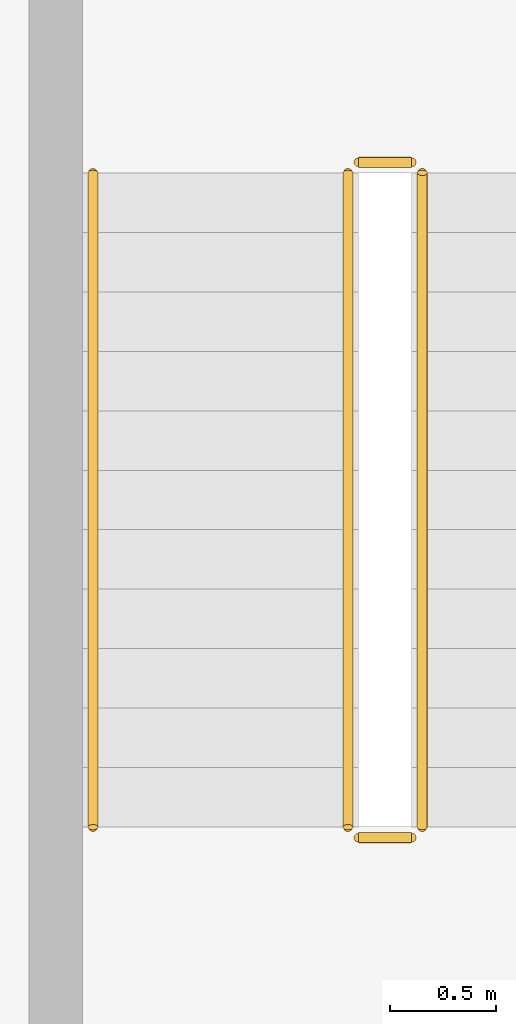
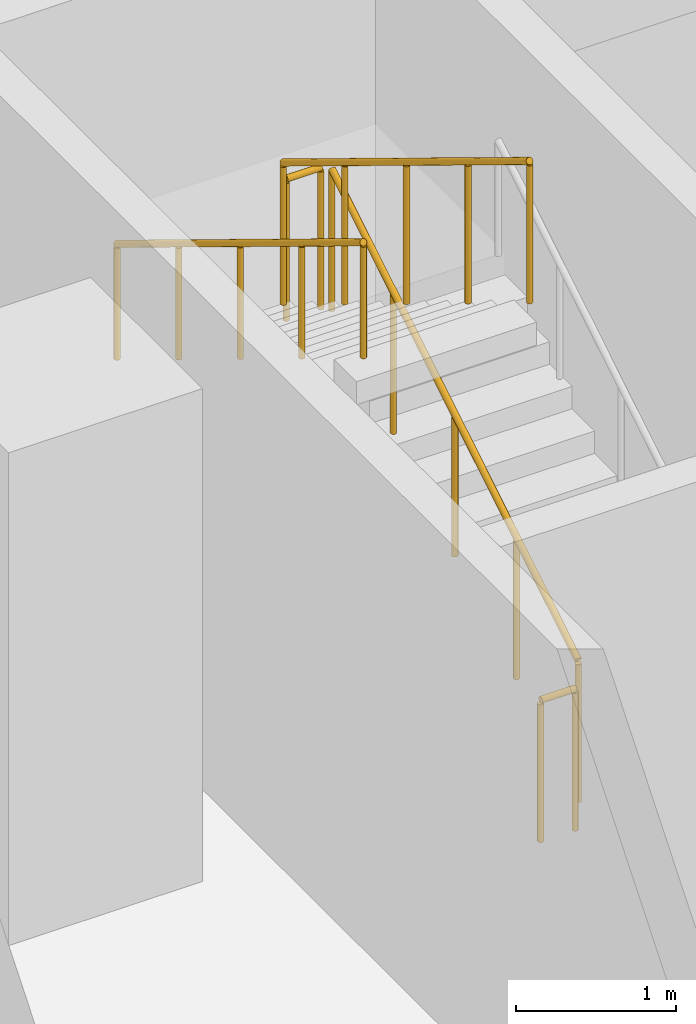
# One storey, part 26 of 29: 5 railings.
"""IFC4 building model written with IfcOpenShell, lengths in metres."""

from ifc_helpers import new_model, si_unit, direction, frame, origin, origin_2d, place, context, subcontext, project, spatial, circle, extrude, material, type_object, element, save


model = new_model("IFC4")

# Units and contexts
model_context = context("Model", 3, precision=1e-05, world=origin(), true_north=direction((0.0, 1.0)))
body_context = subcontext(model_context, "Body", "Model", "MODEL_VIEW")
ifc_project = project(units=[si_unit("LENGTHUNIT", "METRE"), si_unit("AREAUNIT", "SQUARE_METRE"), si_unit("VOLUMEUNIT", "CUBIC_METRE"), si_unit("PLANEANGLEUNIT", "RADIAN"), si_unit("MASSUNIT", "GRAM", prefix="KILO")], contexts=[model_context])

# Site, building, storey
site_placement = place(None, origin())
site = spatial("IfcSite", under=ifc_project, at=site_placement, CompositionType="ELEMENT")
building_placement = place(site_placement, origin())
building = spatial("IfcBuilding", under=site, at=building_placement, Name="Mahtab Terrace Research Tower", CompositionType="ELEMENT")
storey_placement = place(building_placement, frame((0.0, 0.0, 88.89990234375)))
storey = spatial("IfcBuildingStorey", under=building, at=storey_placement, Name="L20", CompositionType="ELEMENT", Elevation=88.89990234375)

# Railings
ifc_material = material(Name="Stainless steel AISI 304", Category="steel")
railing_type_1 = type_object("IfcRailingType", Name="Stair guard 1100", PredefinedType="GUARDRAIL", material=ifc_material)
railing_1_placement = place(storey_placement, frame((21.050048828125, 10.175048828125, 0.1708984375)))
element("IfcRailing", 1, at=railing_1_placement, inside=storey, type_object=railing_type_1, Name="L20 ST3 stair guard 1", PredefinedType="GUARDRAIL", context=body_context, shape_type="SweptSolid", body=[
    extrude(circle(Radius=0.02392578125, at=origin_2d()), frame((0.0, 0.0, 1.076171875), z_axis=(0.0, 0.853647949592, 0.520850437417), x_axis=(-1.0, 0.0, 0.0)), (0.0, 0.0, 1.0), 3.60791015625),
    extrude(circle(Radius=0.02099609375, at=origin_2d()), origin(), (0.0, 0.0, 1.0), 1.052001953125),
    extrude(circle(Radius=0.02099609375, at=origin_2d()), frame((0.0, 0.77001953125, 0.4697265625)), (0.0, 0.0, 1.0), 1.052001953125),
    extrude(circle(Radius=0.02099609375, at=origin_2d()), frame((0.0, 1.5400390625, 0.939453125)), (0.0, 0.0, 1.0), 1.052001953125),
    extrude(circle(Radius=0.02099609375, at=origin_2d()), frame((0.0, 2.309814453125, 1.409423828125)), (0.0, 0.0, 1.0), 1.052001953125),
    extrude(circle(Radius=0.02099609375, at=origin_2d()), frame((0.0, 3.079833984375, 1.879150390625)), (0.0, 0.0, 1.0), 1.052001953125),
])
railing_2_placement = place(storey_placement, frame((21.0, 13.304931640625, 2.050048828125)))
element("IfcRailing", 2, at=railing_2_placement, inside=storey, type_object=railing_type_1, Name="L20 ST3 stair guard 2", PredefinedType="GUARDRAIL", context=body_context, shape_type="SweptSolid", body=[
    extrude(circle(Radius=0.02392578125, at=origin_2d()), frame((0.0, 0.0, 1.076171875), z_axis=(-1.0, 0.0, 0.0), x_axis=(0.0, -1.0, 0.0)), (0.0, 0.0, 1.0), 0.25),
    extrude(circle(Radius=0.02099609375, at=origin_2d()), origin(), (0.0, 0.0, 1.0), 1.052001953125),
    extrude(circle(Radius=0.02099609375, at=origin_2d()), frame((-0.25, 0.0, 0.0)), (0.0, 0.0, 1.0), 1.052001953125),
])
railing_3_placement = place(storey_placement, frame((20.699951171875, 13.2548828125, 2.220947265625)))
element("IfcRailing", 3, at=railing_3_placement, inside=storey, type_object=railing_type_1, Name="L20 ST3 stair guard 3", PredefinedType="GUARDRAIL", context=body_context, shape_type="SweptSolid", body=[
    extrude(circle(Radius=0.02392578125, at=origin_2d()), frame((0.0, 0.0, 1.076171875), z_axis=(0.0, -0.853647949592, 0.520850437417), x_axis=(1.0, 0.0, 0.0)), (0.0, 0.0, 1.0), 3.60791015625),
    extrude(circle(Radius=0.02099609375, at=origin_2d()), origin(), (0.0, 0.0, 1.0), 1.052001953125),
    extrude(circle(Radius=0.02099609375, at=origin_2d()), frame((0.0, -0.77001953125, 0.4697265625)), (0.0, 0.0, 1.0), 1.052001953125),
    extrude(circle(Radius=0.02099609375, at=origin_2d()), frame((0.0, -1.5400390625, 0.939453125)), (0.0, 0.0, 1.0), 1.052001953125),
    extrude(circle(Radius=0.02099609375, at=origin_2d()), frame((0.0, -2.309814453125, 1.409423828125)), (0.0, 0.0, 1.0), 1.052001953125),
    extrude(circle(Radius=0.02099609375, at=origin_2d()), frame((0.0, -3.079833984375, 1.879150390625)), (0.0, 0.0, 1.0), 1.052001953125),
])
railing_4_placement = place(storey_placement, frame((21.0, 10.125, 0.0)))
element("IfcRailing", 4, at=railing_4_placement, inside=storey, type_object=railing_type_1, Name="L20 ST3 stair guard 4", PredefinedType="GUARDRAIL", context=body_context, shape_type="SweptSolid", body=[
    extrude(circle(Radius=0.02392578125, at=origin_2d()), frame((0.0, 0.0, 1.076171875), z_axis=(-1.0, 0.0, 0.0), x_axis=(0.0, -1.0, 0.0)), (0.0, 0.0, 1.0), 0.25),
    extrude(circle(Radius=0.02099609375, at=origin_2d()), origin(), (0.0, 0.0, 1.0), 1.052001953125),
    extrude(circle(Radius=0.02099609375, at=origin_2d()), frame((-0.25, 0.0, 0.0)), (0.0, 0.0, 1.0), 1.052001953125),
])
railing_type_2 = type_object("IfcRailingType", Name="Stair handrail 900", PredefinedType="HANDRAIL", material=ifc_material)
railing_5_placement = place(storey_placement, frame((19.5, 13.2548828125, 2.220947265625)))
element("IfcRailing", 5, at=railing_5_placement, inside=storey, type_object=railing_type_2, Name="L20 ST3 stair handrail 2", PredefinedType="HANDRAIL", context=body_context, shape_type="SweptSolid", body=[
    extrude(circle(Radius=0.02392578125, at=origin_2d()), frame((0.0, 0.0, 0.8759765625), z_axis=(0.0, -0.853647949592, 0.520850437417), x_axis=(1.0, 0.0, 0.0)), (0.0, 0.0, 1.0), 3.60791015625),
    extrude(circle(Radius=0.02099609375, at=origin_2d()), origin(), (0.0, 0.0, 1.0), 0.851806640625),
    extrude(circle(Radius=0.02099609375, at=origin_2d()), frame((0.0, -0.77001953125, 0.4697265625)), (0.0, 0.0, 1.0), 0.851806640625),
    extrude(circle(Radius=0.02099609375, at=origin_2d()), frame((0.0, -1.5400390625, 0.939453125)), (0.0, 0.0, 1.0), 0.851806640625),
    extrude(circle(Radius=0.02099609375, at=origin_2d()), frame((0.0, -2.309814453125, 1.409423828125)), (0.0, 0.0, 1.0), 0.851806640625),
    extrude(circle(Radius=0.02099609375, at=origin_2d()), frame((0.0, -3.079833984375, 1.879150390625)), (0.0, 0.0, 1.0), 0.851806640625),
])

save(model, "model.ifc")
